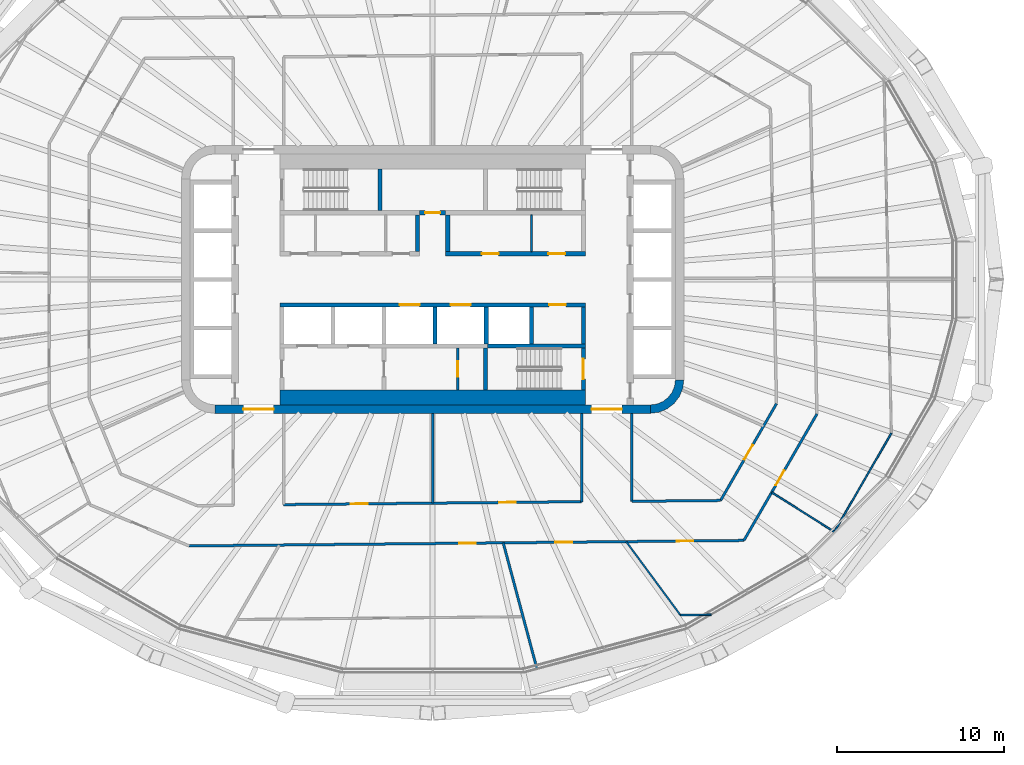
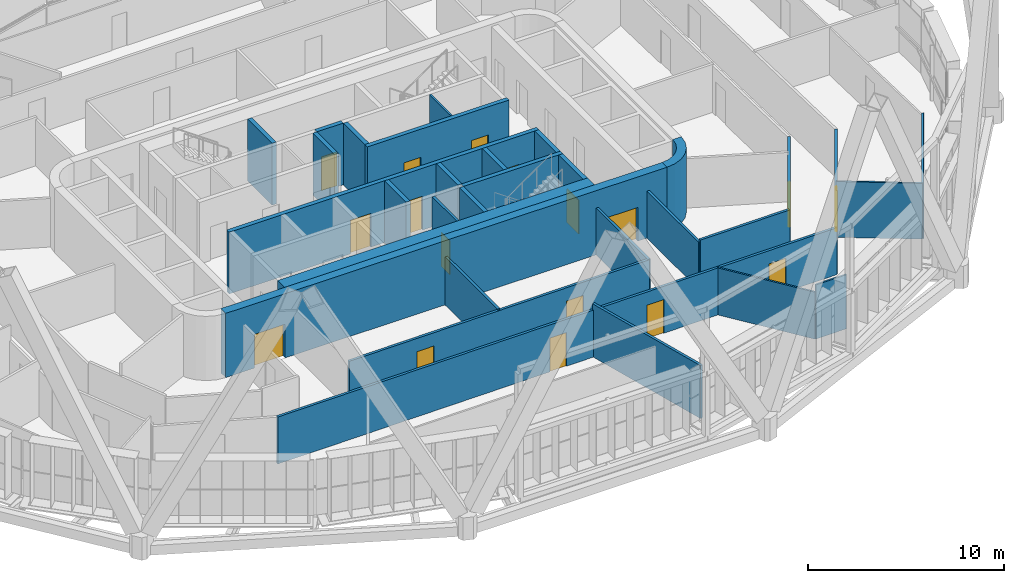
# One storey, part 15 of 25: 31 walls, 17 doors, 17 openings.
"""IFC4 building model written with IfcOpenShell, lengths in metres."""

from ifc_helpers import new_model, si_unit, direction, frame, frame_2d, origin, place, context, subcontext, project, spatial, polyline, rectangle, outline, extrude, material, layer, layer_set, type_object, element, fill, save


model = new_model("IFC4")

# Units and contexts
model_context = context("Model", 3, precision=1e-05, world=origin(), true_north=direction((0.0, 1.0)))
body_context = subcontext(model_context, "Body", "Model", "MODEL_VIEW")
ifc_project = project(units=[si_unit("LENGTHUNIT", "METRE"), si_unit("AREAUNIT", "SQUARE_METRE"), si_unit("VOLUMEUNIT", "CUBIC_METRE"), si_unit("PLANEANGLEUNIT", "RADIAN"), si_unit("MASSUNIT", "GRAM", prefix="KILO")], contexts=[model_context])

# Site, building, storey
site_placement = place(None, origin())
site = spatial("IfcSite", under=ifc_project, at=site_placement, CompositionType="ELEMENT")
building_placement = place(site_placement, origin())
building = spatial("IfcBuilding", under=site, at=building_placement, Name="Sahrelin Media Tower", CompositionType="ELEMENT")
storey_placement = place(building_placement, frame((0.0, 0.0, 165.60009765625)))
storey = spatial("IfcBuildingStorey", under=building, at=storey_placement, Name="L34", CompositionType="ELEMENT", Elevation=165.60009765625)

# Wall, openings, doors
ifc_material_1 = material(Name="Concrete C60/75", Category="concrete")
ifc_layer_1 = layer(ifc_material_1, 0.5)
ifc_layer_set_1 = layer_set([ifc_layer_1], Name="Core wall 500")
wall_type_1 = type_object("IfcWallType", Name="Core wall 500", PredefinedType="SHEAR", material=ifc_layer_set_1)
wall_1_placement = place(storey_placement, frame((-13.0, -7.75, 0.0), z_axis=(0.0, 0.0, 1.0), x_axis=(1.0, 0.0, 0.0)))
wall_1 = element("IfcWall", 1, at=wall_1_placement, inside=storey, type_object=wall_type_1, Name="Core wall S L34", PredefinedType="SHEAR", context=body_context, shape_type="SweptSolid", body=[
    extrude(rectangle(XDim=26.0, YDim=0.5, at=frame_2d((13.0, 0.0))), origin(), (0.0, 0.0, 1.0), 4.0),
])
opening_1_placement = place(wall_1_placement, frame((1.699951171875, 0.0, 0.0)))
opening_1 = element("IfcOpeningElement", 2, at=opening_1_placement, cuts=wall_1, Name="Opening L34-D20", PredefinedType="OPENING", context=body_context, shape_type="SweptSolid", body=[
    extrude(rectangle(XDim=1.800048828125, YDim=2.10009765625, at=frame_2d((0.89990234375, 1.050048828125))), frame((0.0, 0.25, 0.0), z_axis=(0.0, -1.0, 0.0), x_axis=(1.0, 0.0, 0.0)), (0.0, 0.0, 1.0), 0.5),
])
opening_2_placement = place(wall_1_placement, frame((22.5, 0.0, 0.0)))
opening_2 = element("IfcOpeningElement", 3, at=opening_2_placement, cuts=wall_1, Name="Opening L34-D21", PredefinedType="OPENING", context=body_context, shape_type="SweptSolid", body=[
    extrude(rectangle(XDim=1.800048828125, YDim=2.10009765625, at=frame_2d((0.89990234375, 1.050048828125))), frame((0.0, 0.25, 0.0), z_axis=(0.0, -1.0, 0.0), x_axis=(1.0, 0.0, 0.0)), (0.0, 0.0, 1.0), 0.5),
])
ifc_material_2 = material(Name="Steel fire door leaf", Category="steel")
door_type_1 = type_object("IfcDoorType", Name="Lobby double door 1800 x 2100 EI 60", OperationType="DOUBLE_DOOR_SINGLE_SWING", PredefinedType="DOOR", material=ifc_material_2)
door_1_placement = place(opening_1_placement, origin())
door_1 = element("IfcDoor", 4, at=door_1_placement, inside=storey, type_object=door_type_1, Name="Lobby door", OperationType="DOUBLE_DOOR_SINGLE_SWING", OverallHeight=2.10009765625, OverallWidth=1.800048828125, PredefinedType="DOOR", context=body_context, shape_type="SweptSolid", body=[
    extrude(rectangle(XDim=1.800048828125, YDim=2.10009765625, at=frame_2d((0.89990234375, 1.050048828125))), frame((0.0, 0.02490234375, 0.0), z_axis=(0.0, -1.0, 0.0), x_axis=(1.0, 0.0, 0.0)), (0.0, 0.0, 1.0), 0.050048828125),
])
fill(opening_1, door_1)
door_2_placement = place(opening_2_placement, origin())
door_2 = element("IfcDoor", 5, at=door_2_placement, inside=storey, type_object=door_type_1, Name="Lobby door", OperationType="DOUBLE_DOOR_SINGLE_SWING", OverallHeight=2.10009765625, OverallWidth=1.800048828125, PredefinedType="DOOR", context=body_context, shape_type="SweptSolid", body=[
    extrude(rectangle(XDim=1.800048828125, YDim=2.10009765625, at=frame_2d((0.89990234375, 1.050048828125))), frame((0.0, 0.02490234375, 0.0), z_axis=(0.0, -1.0, 0.0), x_axis=(1.0, 0.0, 0.0)), (0.0, 0.0, 1.0), 0.050048828125),
])
fill(opening_2, door_2)

# Wall
wall_2_placement = place(storey_placement, origin())
element("IfcWall", 6, at=wall_2_placement, inside=storey, type_object=wall_type_1, Name="Core wall corner SE L34", PredefinedType="SHEAR", context=body_context, shape_type="SweptSolid", body=[
    extrude(outline(polyline([(15.0, -6.0), (14.49560546875, -6.0), (14.44482421875, -6.38720703125), (14.29541015625, -6.747802734375), (14.0576171875, -7.0576171875), (13.747802734375, -7.29541015625), (13.38720703125, -7.44482421875), (13.0, -7.49560546875), (13.0, -8.0), (13.517578125, -7.931884765625), (14.0, -7.732177734375), (14.414306640625, -7.414306640625), (14.732177734375, -7.0), (14.931884765625, -6.517578125), (15.0, -6.0)])), origin(), (0.0, 0.0, 1.0), 4.0),
])

# Wall, opening, door
ifc_material_3 = material(Name="Fire-rated gypsum board partition")
ifc_layer_2 = layer(ifc_material_3, 0.25)
ifc_layer_set_2 = layer_set([ifc_layer_2], Name="Fire-rated lobby wall 250")
wall_type_2 = type_object("IfcWallType", Name="Fire-rated lobby wall 250", PredefinedType="PARTITIONING", material=ifc_layer_set_2)
wall_3_placement = place(storey_placement, frame((-0.77490234375, 3.97509765625, 0.0), z_axis=(0.0, 0.0, 1.0), x_axis=(1.0, 0.0, 0.0)))
wall_3 = element("IfcWall", 7, at=wall_3_placement, inside=storey, type_object=wall_type_2, Name="Core lobby wall", PredefinedType="PARTITIONING", context=body_context, shape_type="SweptSolid", body=[
    extrude(rectangle(XDim=1.5498046875, YDim=0.25, at=frame_2d((0.77490234375, 0.0))), origin(), (0.0, 0.0, 1.0), 3.849853515625),
])
opening_3_placement = place(wall_3_placement, frame((0.324951171875, 0.0, 0.0)))
opening_3 = element("IfcOpeningElement", 8, at=opening_3_placement, cuts=wall_3, Name="Opening L34-D06", PredefinedType="OPENING", context=body_context, shape_type="SweptSolid", body=[
    extrude(rectangle(XDim=0.89990234375, YDim=2.10009765625, at=frame_2d((0.449951171875, 1.050048828125))), frame((0.0, 0.125, 0.0), z_axis=(0.0, -1.0, 0.0), x_axis=(1.0, 0.0, 0.0)), (0.0, 0.0, 1.0), 0.25),
])
door_type_2 = type_object("IfcDoorType", Name="Riser door 900 x 2100 EI 120", OperationType="NOTDEFINED", PredefinedType="DOOR", material=ifc_material_2)
door_3_placement = place(opening_3_placement, origin())
door_3 = element("IfcDoor", 9, at=door_3_placement, inside=storey, type_object=door_type_2, Name="Core room door", OperationType="SINGLE_SWING_LEFT", OverallHeight=2.10009765625, OverallWidth=0.89990234375, PredefinedType="DOOR", context=body_context, shape_type="SweptSolid", body=[
    extrude(rectangle(XDim=0.89990234375, YDim=2.10009765625, at=frame_2d((0.449951171875, 1.050048828125))), frame((0.0, 0.02490234375, 0.0), z_axis=(0.0, -1.0, 0.0), x_axis=(1.0, 0.0, 0.0)), (0.0, 0.0, 1.0), 0.050048828125),
])
fill(opening_3, door_3)

# Wall, openings, doors
wall_4_placement = place(storey_placement, frame((0.77490234375, 1.52490234375, 0.0), z_axis=(0.0, 0.0, 1.0), x_axis=(1.0, 0.0, 0.0)))
wall_4 = element("IfcWall", 10, at=wall_4_placement, inside=storey, type_object=wall_type_2, Name="Core lobby wall", PredefinedType="PARTITIONING", context=body_context, shape_type="SweptSolid", body=[
    extrude(rectangle(XDim=8.35009765625, YDim=0.25, at=frame_2d((4.175048828125, 0.0))), origin(), (0.0, 0.0, 1.0), 3.849853515625),
])
opening_4_placement = place(wall_4_placement, frame((2.16259765625, 0.0, 0.0)))
opening_4 = element("IfcOpeningElement", 11, at=opening_4_placement, cuts=wall_4, Name="Opening L34-D11", PredefinedType="OPENING", context=body_context, shape_type="SweptSolid", body=[
    extrude(rectangle(XDim=1.0, YDim=2.10009765625, at=frame_2d((0.5, 1.050048828125))), frame((0.0, 0.125, 0.0), z_axis=(0.0, -1.0, 0.0), x_axis=(1.0, 0.0, 0.0)), (0.0, 0.0, 1.0), 0.25),
])
opening_5_placement = place(wall_4_placement, frame((6.137451171875, 0.0, 0.0)))
opening_5 = element("IfcOpeningElement", 12, at=opening_5_placement, cuts=wall_4, Name="Opening L34-D12", PredefinedType="OPENING", context=body_context, shape_type="SweptSolid", body=[
    extrude(rectangle(XDim=1.0, YDim=2.10009765625, at=frame_2d((0.5, 1.050048828125))), frame((0.0, 0.125, 0.0), z_axis=(0.0, -1.0, 0.0), x_axis=(1.0, 0.0, 0.0)), (0.0, 0.0, 1.0), 0.25),
])
door_type_3 = type_object("IfcDoorType", Name="Fire door 1000 x 2100 EI 60", OperationType="NOTDEFINED", PredefinedType="DOOR", material=ifc_material_2)
door_4_placement = place(opening_4_placement, origin())
door_4 = element("IfcDoor", 13, at=door_4_placement, inside=storey, type_object=door_type_3, Name="Core room door", OperationType="SINGLE_SWING_LEFT", OverallHeight=2.10009765625, OverallWidth=1.0, PredefinedType="DOOR", context=body_context, shape_type="SweptSolid", body=[
    extrude(rectangle(XDim=1.0, YDim=2.10009765625, at=frame_2d((0.5, 1.050048828125))), frame((0.0, 0.02490234375, 0.0), z_axis=(0.0, -1.0, 0.0), x_axis=(1.0, 0.0, 0.0)), (0.0, 0.0, 1.0), 0.050048828125),
])
fill(opening_4, door_4)
door_5_placement = place(opening_5_placement, origin())
door_5 = element("IfcDoor", 14, at=door_5_placement, inside=storey, type_object=door_type_3, Name="Core room door", OperationType="SINGLE_SWING_LEFT", OverallHeight=2.10009765625, OverallWidth=1.0, PredefinedType="DOOR", context=body_context, shape_type="SweptSolid", body=[
    extrude(rectangle(XDim=1.0, YDim=2.10009765625, at=frame_2d((0.5, 1.050048828125))), frame((0.0, 0.02490234375, 0.0), z_axis=(0.0, -1.0, 0.0), x_axis=(1.0, 0.0, 0.0)), (0.0, 0.0, 1.0), 0.050048828125),
])
fill(opening_5, door_5)

# Walls
for number, where, z_axis, x_axis, name in (
    (15, (-0.89990234375, 1.64990234375, 0.0), (0.0, 0.0, 1.0), (0.0, 1.0, 0.0), "Core lobby wall"),
    (16, (0.89990234375, 1.64990234375, 0.0), (0.0, 0.0, 1.0), (0.0, 1.0, 0.0), "Core lobby wall"),
):
    element("IfcWall", number, at=place(storey_placement, frame(where, z_axis=z_axis, x_axis=x_axis)), inside=storey, type_object=wall_type_2, Name=name, PredefinedType="PARTITIONING", context=body_context, shape_type="SweptSolid", body=[
        extrude(rectangle(XDim=2.2001953125, YDim=0.25, at=frame_2d((1.10009765625, 0.0))), origin(), (0.0, 0.0, 1.0), 3.849853515625),
    ])
ifc_layer_3 = layer(ifc_material_3, 0.10009765625)
ifc_layer_set_3 = layer_set([ifc_layer_3], Name="Fire-rated partition 100")
wall_type_3 = type_object("IfcWallType", Name="Fire-rated partition 100", PredefinedType="PARTITIONING", material=ifc_layer_set_3)
wall_5_placement = place(storey_placement, frame((5.89990234375, 1.64990234375, 0.0), z_axis=(0.0, 0.0, 1.0), x_axis=(0.0, 1.0, 0.0)))
element("IfcWall", 17, at=wall_5_placement, inside=storey, type_object=wall_type_3, Name="Core room partition", PredefinedType="PARTITIONING", context=body_context, shape_type="SweptSolid", body=[
    extrude(rectangle(XDim=2.2001953125, YDim=0.10009765625, at=frame_2d((1.10009765625, 0.0))), origin(), (0.0, 0.0, 1.0), 3.849853515625),
])

# Wall, opening, door
ifc_layer_4 = layer(ifc_material_3, 0.14990234375)
ifc_layer_set_4 = layer_set([ifc_layer_4], Name="Fire-rated partition 150")
wall_type_4 = type_object("IfcWallType", Name="Fire-rated partition 150", PredefinedType="PARTITIONING", material=ifc_layer_set_4)
wall_6_placement = place(storey_placement, frame((1.5, -6.60009765625, 0.0), z_axis=(0.0, 0.0, 1.0), x_axis=(0.0, 1.0, 0.0)))
wall_6 = element("IfcWall", 18, at=wall_6_placement, inside=storey, type_object=wall_type_4, Name="Core room fire partition", PredefinedType="PARTITIONING", context=body_context, shape_type="SweptSolid", body=[
    extrude(rectangle(XDim=2.5, YDim=0.14990234375, at=frame_2d((1.25, 0.0))), origin(), (0.0, 0.0, 1.0), 3.849853515625),
])
opening_6_placement = place(wall_6_placement, frame((0.800048828125, 0.0, 0.0)))
opening_6 = element("IfcOpeningElement", 19, at=opening_6_placement, cuts=wall_6, Name="Opening L34-D07", PredefinedType="OPENING", context=body_context, shape_type="SweptSolid", body=[
    extrude(rectangle(XDim=0.89990234375, YDim=2.10009765625, at=frame_2d((0.449951171875, 1.050048828125))), frame((0.0, 0.074951171875, 0.0), z_axis=(0.0, -1.0, 0.0), x_axis=(1.0, 0.0, 0.0)), (0.0, 0.0, 1.0), 0.14990234375),
])
door_type_4 = type_object("IfcDoorType", Name="Fire door 900 x 2100 EI 60", OperationType="NOTDEFINED", PredefinedType="DOOR", material=ifc_material_2)
door_6_placement = place(opening_6_placement, origin())
door_6 = element("IfcDoor", 20, at=door_6_placement, inside=storey, type_object=door_type_4, Name="Core room door", OperationType="SINGLE_SWING_RIGHT", OverallHeight=2.10009765625, OverallWidth=0.89990234375, PredefinedType="DOOR", context=body_context, shape_type="SweptSolid", body=[
    extrude(rectangle(XDim=0.89990234375, YDim=2.10009765625, at=frame_2d((0.449951171875, 1.050048828125))), frame((0.0, 0.02490234375, 0.0), z_axis=(0.0, -1.0, 0.0), x_axis=(1.0, 0.0, 0.0)), (0.0, 0.0, 1.0), 0.050048828125),
])
fill(opening_6, door_6)

# Wall
wall_7_placement = place(storey_placement, frame((4.215087890625, -15.72998046875, 0.0), z_axis=(0.0, 0.0, 1.0), x_axis=(0.258804423338, -0.96592974406, 0.0)))
element("IfcWall", 21, at=wall_7_placement, inside=storey, type_object=wall_type_4, Name="Wall", PredefinedType="PARTITIONING", context=body_context, shape_type="SweptSolid", body=[
    extrude(rectangle(XDim=7.797607421875, YDim=0.14990234375, at=frame_2d((3.89892578125, 0.0))), origin(), (0.0, 0.0, 1.0), 3.301513671875),
])

# Wall, openings, doors
wall_8_placement = place(storey_placement, frame((-14.533935546875, -15.916015625, 0.0), z_axis=(0.0, 0.0, 1.0), x_axis=(0.999950930262, 0.009906415532, 0.0)))
wall_8 = element("IfcWall", 22, at=wall_8_placement, inside=storey, type_object=wall_type_4, Name="Wall", PredefinedType="PARTITIONING", context=body_context, shape_type="SweptSolid", body=[
    extrude(rectangle(XDim=33.12255859375, YDim=0.14990234375, at=frame_2d((16.561279296875, 0.0))), origin(), (0.0, 0.0, 1.0), 2.927001953125),
])
opening_7_placement = place(wall_8_placement, frame((16.11083984375, 0.0, 0.0)))
opening_7 = element("IfcOpeningElement", 23, at=opening_7_placement, cuts=wall_8, Name="Opening L34-D42", PredefinedType="OPENING", context=body_context, shape_type="SweptSolid", body=[
    extrude(rectangle(XDim=1.0, YDim=2.10009765625, at=frame_2d((0.5, 1.050048828125))), frame((0.0, 0.074951171875, 0.0), z_axis=(0.0, -1.0, 0.0), x_axis=(1.0, 0.0, 0.0)), (0.0, 0.0, 1.0), 0.14990234375),
])
opening_8_placement = place(wall_8_placement, frame((21.868896484375, 0.0, 0.0)))
opening_8 = element("IfcOpeningElement", 24, at=opening_8_placement, cuts=wall_8, Name="Opening L34-D44", PredefinedType="OPENING", context=body_context, shape_type="SweptSolid", body=[
    extrude(rectangle(XDim=1.0, YDim=2.10009765625, at=frame_2d((0.5, 1.050048828125))), frame((0.0, 0.074951171875, 0.0), z_axis=(0.0, -1.0, 0.0), x_axis=(1.0, 0.0, 0.0)), (0.0, 0.0, 1.0), 0.14990234375),
])
opening_9_placement = place(wall_8_placement, frame((29.105712890625, 0.0, 0.0)))
opening_9 = element("IfcOpeningElement", 25, at=opening_9_placement, cuts=wall_8, Name="Opening L34-D45", PredefinedType="OPENING", context=body_context, shape_type="SweptSolid", body=[
    extrude(rectangle(XDim=1.0, YDim=2.10009765625, at=frame_2d((0.5, 1.050048828125))), frame((0.0, 0.074951171875, 0.0), z_axis=(0.0, -1.0, 0.0), x_axis=(1.0, 0.0, 0.0)), (0.0, 0.0, 1.0), 0.14990234375),
])
door_7_placement = place(opening_7_placement, origin())
door_7 = element("IfcDoor", 26, at=door_7_placement, inside=storey, type_object=door_type_3, Name="Fire door", OperationType="SINGLE_SWING_RIGHT", OverallHeight=2.10009765625, OverallWidth=1.0, PredefinedType="DOOR", context=body_context, shape_type="SweptSolid", body=[
    extrude(rectangle(XDim=1.0, YDim=2.10009765625, at=frame_2d((0.5, 1.050048828125))), frame((0.0, 0.02490234375, 0.0), z_axis=(0.0, -1.0, 0.0), x_axis=(1.0, 0.0, 0.0)), (0.0, 0.0, 1.0), 0.050048828125),
])
fill(opening_7, door_7)
door_8_placement = place(opening_8_placement, origin())
door_8 = element("IfcDoor", 27, at=door_8_placement, inside=storey, type_object=door_type_3, Name="Fire door", OperationType="SINGLE_SWING_LEFT", OverallHeight=2.10009765625, OverallWidth=1.0, PredefinedType="DOOR", context=body_context, shape_type="SweptSolid", body=[
    extrude(rectangle(XDim=1.0, YDim=2.10009765625, at=frame_2d((0.5, 1.050048828125))), frame((0.0, 0.02490234375, 0.0), z_axis=(0.0, -1.0, 0.0), x_axis=(1.0, 0.0, 0.0)), (0.0, 0.0, 1.0), 0.050048828125),
])
fill(opening_8, door_8)
door_9_placement = place(opening_9_placement, origin())
door_9 = element("IfcDoor", 28, at=door_9_placement, inside=storey, type_object=door_type_3, Name="Fire door", OperationType="SINGLE_SWING_LEFT", OverallHeight=2.10009765625, OverallWidth=1.0, PredefinedType="DOOR", context=body_context, shape_type="SweptSolid", body=[
    extrude(rectangle(XDim=1.0, YDim=2.10009765625, at=frame_2d((0.5, 1.050048828125))), frame((0.0, 0.02490234375, 0.0), z_axis=(0.0, -1.0, 0.0), x_axis=(1.0, 0.0, 0.0)), (0.0, 0.0, 1.0), 0.050048828125),
])
fill(opening_9, door_9)

wall_9_placement = place(storey_placement, frame((-8.89990234375, -13.44873046875, 0.0), z_axis=(0.0, 0.0, 1.0), x_axis=(0.999951105691, 0.009888691875, 0.0)))
wall_9 = element("IfcWall", 29, at=wall_9_placement, inside=storey, type_object=wall_type_4, Name="Wall", PredefinedType="PARTITIONING", context=body_context, shape_type="SweptSolid", body=[
    extrude(rectangle(XDim=17.80078125, YDim=0.14990234375, at=frame_2d((8.900390625, 0.0))), origin(), (0.0, 0.0, 1.0), 2.927001953125),
])
opening_10_placement = place(wall_9_placement, frame((4.018798828125, 0.0, 0.0)))
opening_10 = element("IfcOpeningElement", 30, at=opening_10_placement, cuts=wall_9, Name="Opening L34-D22", PredefinedType="OPENING", context=body_context, shape_type="SweptSolid", body=[
    extrude(rectangle(XDim=1.0, YDim=2.10009765625, at=frame_2d((0.5, 1.050048828125))), frame((0.0, 0.074951171875, 0.0), z_axis=(0.0, -1.0, 0.0), x_axis=(1.0, 0.0, 0.0)), (0.0, 0.0, 1.0), 0.14990234375),
])
opening_11_placement = place(wall_9_placement, frame((12.873046875, 0.0, 0.0)))
opening_11 = element("IfcOpeningElement", 31, at=opening_11_placement, cuts=wall_9, Name="Opening L34-D23", PredefinedType="OPENING", context=body_context, shape_type="SweptSolid", body=[
    extrude(rectangle(XDim=1.0, YDim=2.10009765625, at=frame_2d((0.5, 1.050048828125))), frame((0.0, 0.074951171875, 0.0), z_axis=(0.0, -1.0, 0.0), x_axis=(1.0, 0.0, 0.0)), (0.0, 0.0, 1.0), 0.14990234375),
])
door_10_placement = place(opening_10_placement, origin())
door_10 = element("IfcDoor", 32, at=door_10_placement, inside=storey, type_object=door_type_3, Name="Fire door", OperationType="SINGLE_SWING_RIGHT", OverallHeight=2.10009765625, OverallWidth=1.0, PredefinedType="DOOR", context=body_context, shape_type="SweptSolid", body=[
    extrude(rectangle(XDim=1.0, YDim=2.10009765625, at=frame_2d((0.5, 1.050048828125))), frame((0.0, 0.02490234375, 0.0), z_axis=(0.0, -1.0, 0.0), x_axis=(1.0, 0.0, 0.0)), (0.0, 0.0, 1.0), 0.050048828125),
])
fill(opening_10, door_10)
door_11_placement = place(opening_11_placement, origin())
door_11 = element("IfcDoor", 33, at=door_11_placement, inside=storey, type_object=door_type_3, Name="Fire door", OperationType="SINGLE_SWING_LEFT", OverallHeight=2.10009765625, OverallWidth=1.0, PredefinedType="DOOR", context=body_context, shape_type="SweptSolid", body=[
    extrude(rectangle(XDim=1.0, YDim=2.10009765625, at=frame_2d((0.5, 1.050048828125))), frame((0.0, 0.02490234375, 0.0), z_axis=(0.0, -1.0, 0.0), x_axis=(1.0, 0.0, 0.0)), (0.0, 0.0, 1.0), 0.050048828125),
])
fill(opening_11, door_11)

# Wall
wall_10_placement = place(storey_placement, frame((11.89990234375, -13.2529296875, 0.0), z_axis=(0.0, 0.0, 1.0), x_axis=(0.999951309192, 0.009868092237, 0.0)))
element("IfcWall", 34, at=wall_10_placement, inside=storey, type_object=wall_type_4, Name="Wall", PredefinedType="PARTITIONING", context=body_context, shape_type="SweptSolid", body=[
    extrude(rectangle(XDim=5.29443359375, YDim=0.14990234375, at=frame_2d((2.647216796875, 0.0))), origin(), (0.0, 0.0, 1.0), 3.075927734375),
])

# Wall, opening, door
wall_11_placement = place(storey_placement, frame((18.5869140625, -15.5869140625, 0.0), z_axis=(0.0, 0.0, 1.0), x_axis=(0.500026433136, 0.866010142069, 0.0)))
wall_11 = element("IfcWall", 35, at=wall_11_placement, inside=storey, type_object=wall_type_4, Name="Wall", PredefinedType="PARTITIONING", context=body_context, shape_type="SweptSolid", body=[
    extrude(rectangle(XDim=8.71337890625, YDim=0.14990234375, at=frame_2d((4.356689453125, 0.0))), origin(), (0.0, 0.0, 1.0), 2.927001953125),
])
opening_12_placement = place(wall_11_placement, frame((3.806884765625, 0.0, 0.0)))
opening_12 = element("IfcOpeningElement", 36, at=opening_12_placement, cuts=wall_11, Name="Opening L34-D46", PredefinedType="OPENING", context=body_context, shape_type="SweptSolid", body=[
    extrude(rectangle(XDim=1.0, YDim=2.10009765625, at=frame_2d((0.5, 1.050048828125))), frame((0.0, 0.074951171875, 0.0), z_axis=(0.0, -1.0, 0.0), x_axis=(1.0, 0.0, 0.0)), (0.0, 0.0, 1.0), 0.14990234375),
])
door_12_placement = place(opening_12_placement, origin())
door_12 = element("IfcDoor", 37, at=door_12_placement, inside=storey, type_object=door_type_3, Name="Fire door", OperationType="SINGLE_SWING_LEFT", OverallHeight=2.10009765625, OverallWidth=1.0, PredefinedType="DOOR", context=body_context, shape_type="SweptSolid", body=[
    extrude(rectangle(XDim=1.0, YDim=2.10009765625, at=frame_2d((0.5, 1.050048828125))), frame((0.0, 0.02490234375, 0.0), z_axis=(0.0, -1.0, 0.0), x_axis=(1.0, 0.0, 0.0)), (0.0, 0.0, 1.0), 0.050048828125),
])
fill(opening_12, door_12)

wall_12_placement = place(storey_placement, frame((17.194091796875, -13.200927734375, 0.0), z_axis=(0.0, 0.0, 1.0), x_axis=(0.50001062018, 0.866019272134, 0.0)))
wall_12 = element("IfcWall", 38, at=wall_12_placement, inside=storey, type_object=wall_type_4, Name="Wall", PredefinedType="PARTITIONING", context=body_context, shape_type="SweptSolid", body=[
    extrude(rectangle(XDim=6.673583984375, YDim=0.14990234375, at=frame_2d((3.3369140625, 0.0))), origin(), (0.0, 0.0, 1.0), 2.927001953125),
])
opening_13_placement = place(wall_12_placement, frame((2.83349609375, 0.0, 0.0)))
opening_13 = element("IfcOpeningElement", 39, at=opening_13_placement, cuts=wall_12, Name="Opening L34-D24", PredefinedType="OPENING", context=body_context, shape_type="SweptSolid", body=[
    extrude(rectangle(XDim=1.0, YDim=2.10009765625, at=frame_2d((0.5, 1.050048828125))), frame((0.0, 0.074951171875, 0.0), z_axis=(0.0, -1.0, 0.0), x_axis=(1.0, 0.0, 0.0)), (0.0, 0.0, 1.0), 0.14990234375),
])
door_13_placement = place(opening_13_placement, origin())
door_13 = element("IfcDoor", 40, at=door_13_placement, inside=storey, type_object=door_type_3, Name="Fire door", OperationType="SINGLE_SWING_RIGHT", OverallHeight=2.10009765625, OverallWidth=1.0, PredefinedType="DOOR", context=body_context, shape_type="SweptSolid", body=[
    extrude(rectangle(XDim=1.0, YDim=2.10009765625, at=frame_2d((0.5, 1.050048828125))), frame((0.0, 0.02490234375, 0.0), z_axis=(0.0, -1.0, 0.0), x_axis=(1.0, 0.0, 0.0)), (0.0, 0.0, 1.0), 0.050048828125),
])
fill(opening_13, door_13)

# Walls
wall_13_placement = place(storey_placement, frame((11.89990234375, -13.2529296875, 0.0), z_axis=(0.0, 0.0, 1.0), x_axis=(0.0, 1.0, 0.0)))
element("IfcWall", 41, at=wall_13_placement, inside=storey, type_object=wall_type_4, Name="Wall", PredefinedType="PARTITIONING", context=body_context, shape_type="SweptSolid", body=[
    extrude(rectangle(XDim=5.2529296875, YDim=0.14990234375, at=frame_2d((2.62646484375, 0.0))), origin(), (0.0, 0.0, 1.0), 2.927001953125),
])
wall_14_placement = place(storey_placement, frame((8.89990234375, -13.282958984375, 0.0), z_axis=(0.0, 0.0, 1.0), x_axis=(0.0, 1.0, 0.0)))
element("IfcWall", 42, at=wall_14_placement, inside=storey, type_object=wall_type_4, Name="Wall", PredefinedType="PARTITIONING", context=body_context, shape_type="SweptSolid", body=[
    extrude(rectangle(XDim=5.282958984375, YDim=0.14990234375, at=frame_2d((2.6416015625, 0.0))), origin(), (0.0, 0.0, 1.0), 2.927001953125),
])
wall_15_placement = place(storey_placement, frame((0.0, -13.361083984375, 0.0), z_axis=(0.0, 0.0, 1.0), x_axis=(0.0, 1.0, 0.0)))
element("IfcWall", 43, at=wall_15_placement, inside=storey, type_object=wall_type_4, Name="Wall", PredefinedType="PARTITIONING", context=body_context, shape_type="SweptSolid", body=[
    extrude(rectangle(XDim=5.361083984375, YDim=0.14990234375, at=frame_2d((2.6806640625, 0.0))), origin(), (0.0, 0.0, 1.0), 2.994873046875),
])

# Wall, openings, doors
ifc_layer_5 = layer(ifc_material_1, 0.25)
ifc_layer_set_5 = layer_set([ifc_layer_5], Name="Lift shaft wall 250")
wall_type_5 = type_object("IfcWallType", Name="Lift shaft wall 250", PredefinedType="SOLIDWALL", material=ifc_layer_set_5)
wall_16_placement = place(storey_placement, frame((-9.125, -1.52490234375, 0.0), z_axis=(0.0, 0.0, 1.0), x_axis=(1.0, 0.0, 0.0)))
wall_16 = element("IfcWall", 44, at=wall_16_placement, inside=storey, type_object=wall_type_5, Name="Lift shaft wall", PredefinedType="SOLIDWALL", context=body_context, shape_type="SweptSolid", body=[
    extrude(rectangle(XDim=18.25, YDim=0.25, at=frame_2d((9.125, 0.0))), origin(), (0.0, 0.0, 1.0), 3.849853515625),
])
opening_14_placement = place(wall_16_placement, frame((7.14990234375, 0.0, 0.0)))
opening_14 = element("IfcOpeningElement", 45, at=opening_14_placement, cuts=wall_16, Name="Opening L34-LD-SV1", PredefinedType="OPENING", context=body_context, shape_type="SweptSolid", body=[
    extrude(rectangle(XDim=1.199951171875, YDim=2.10009765625, at=frame_2d((0.60009765625, 1.050048828125))), frame((0.0, 0.125, 0.0), z_axis=(0.0, -1.0, 0.0), x_axis=(1.0, 0.0, 0.0)), (0.0, 0.0, 1.0), 0.25),
])
opening_15_placement = place(wall_16_placement, frame((10.199951171875, 0.0, 0.0)))
opening_15 = element("IfcOpeningElement", 46, at=opening_15_placement, cuts=wall_16, Name="Opening L34-LD-SV2", PredefinedType="OPENING", context=body_context, shape_type="SweptSolid", body=[
    extrude(rectangle(XDim=1.199951171875, YDim=2.10009765625, at=frame_2d((0.60009765625, 1.050048828125))), frame((0.0, 0.125, 0.0), z_axis=(0.0, -1.0, 0.0), x_axis=(1.0, 0.0, 0.0)), (0.0, 0.0, 1.0), 0.25),
])
opening_16_placement = place(wall_16_placement, frame((16.074951171875, 0.0, 0.0)))
opening_16 = element("IfcOpeningElement", 47, at=opening_16_placement, cuts=wall_16, Name="Opening L34-D13", PredefinedType="OPENING", context=body_context, shape_type="SweptSolid", body=[
    extrude(rectangle(XDim=1.0, YDim=2.10009765625, at=frame_2d((0.5, 1.050048828125))), frame((0.0, 0.125, 0.0), z_axis=(0.0, -1.0, 0.0), x_axis=(1.0, 0.0, 0.0)), (0.0, 0.0, 1.0), 0.25),
])
door_14_placement = place(opening_16_placement, origin())
door_14 = element("IfcDoor", 48, at=door_14_placement, inside=storey, type_object=door_type_3, Name="Core room door", OperationType="SINGLE_SWING_RIGHT", OverallHeight=2.10009765625, OverallWidth=1.0, PredefinedType="DOOR", context=body_context, shape_type="SweptSolid", body=[
    extrude(rectangle(XDim=1.0, YDim=2.10009765625, at=frame_2d((0.5, 1.050048828125))), frame((0.0, 0.02490234375, 0.0), z_axis=(0.0, -1.0, 0.0), x_axis=(1.0, 0.0, 0.0)), (0.0, 0.0, 1.0), 0.050048828125),
])
fill(opening_16, door_14)
ifc_material_4 = material(Name="Stainless steel", Category="steel")
door_type_5 = type_object("IfcDoorType", Name="Lift landing door 1200 x 2100 EI 120", OperationType="DOUBLE_DOOR_SLIDING", PredefinedType="DOOR", material=ifc_material_4)
door_15_placement = place(opening_14_placement, origin())
door_15 = element("IfcDoor", 49, at=door_15_placement, inside=storey, type_object=door_type_5, Name="Lift landing door SV1", OperationType="DOUBLE_DOOR_SLIDING", OverallHeight=2.10009765625, OverallWidth=1.199951171875, PredefinedType="DOOR", context=body_context, shape_type="SweptSolid", body=[
    extrude(rectangle(XDim=1.199951171875, YDim=2.10009765625, at=frame_2d((0.60009765625, 1.050048828125))), frame((0.0, 0.02490234375, 0.0), z_axis=(0.0, -1.0, 0.0), x_axis=(1.0, 0.0, 0.0)), (0.0, 0.0, 1.0), 0.050048828125),
])
fill(opening_14, door_15)
door_16_placement = place(opening_15_placement, origin())
door_16 = element("IfcDoor", 50, at=door_16_placement, inside=storey, type_object=door_type_5, Name="Lift landing door SV2", OperationType="DOUBLE_DOOR_SLIDING", OverallHeight=2.10009765625, OverallWidth=1.199951171875, PredefinedType="DOOR", context=body_context, shape_type="SweptSolid", body=[
    extrude(rectangle(XDim=1.199951171875, YDim=2.10009765625, at=frame_2d((0.60009765625, 1.050048828125))), frame((0.0, 0.02490234375, 0.0), z_axis=(0.0, -1.0, 0.0), x_axis=(1.0, 0.0, 0.0)), (0.0, 0.0, 1.0), 0.050048828125),
])
fill(opening_15, door_16)

# Walls
wall_17_placement = place(storey_placement, frame((3.27490234375, -3.97509765625, 0.0), z_axis=(0.0, 0.0, 1.0), x_axis=(1.0, 0.0, 0.0)))
element("IfcWall", 51, at=wall_17_placement, inside=storey, type_object=wall_type_5, Name="Lift shaft wall", PredefinedType="SOLIDWALL", context=body_context, shape_type="SweptSolid", body=[
    extrude(rectangle(XDim=5.85009765625, YDim=0.25, at=frame_2d((2.925048828125, 0.0))), origin(), (0.0, 0.0, 1.0), 3.849853515625),
])
for number, where, z_axis, x_axis, name in (
    (52, (0.14990234375, -3.85009765625, 0.0), (0.0, 0.0, 1.0), (0.0, 1.0, 0.0), "Lift shaft wall"),
    (53, (3.199951171875, -3.85009765625, 0.0), (0.0, 0.0, 1.0), (0.0, 1.0, 0.0), "Lift shaft wall"),
    (54, (5.89990234375, -3.85009765625, 0.0), (0.0, 0.0, 1.0), (0.0, 1.0, 0.0), "Lift shaft wall"),
    (55, (9.0, -3.85009765625, 0.0), (0.0, 0.0, 1.0), (0.0, 1.0, 0.0), "Lift shaft wall"),
):
    element("IfcWall", number, at=place(storey_placement, frame(where, z_axis=z_axis, x_axis=x_axis)), inside=storey, type_object=wall_type_5, Name=name, PredefinedType="SOLIDWALL", context=body_context, shape_type="SweptSolid", body=[
        extrude(rectangle(XDim=2.2001953125, YDim=0.25, at=frame_2d((1.10009765625, 0.0))), origin(), (0.0, 0.0, 1.0), 3.849853515625),
    ])
ifc_material_5 = material(Name="Gypsum board partition")
ifc_layer_6 = layer(ifc_material_5, 0.10009765625)
ifc_layer_set_6 = layer_set([ifc_layer_6], Name="Partition 100")
wall_type_6 = type_object("IfcWallType", Name="Partition 100", PredefinedType="PARTITIONING", material=ifc_layer_set_6)
wall_18_placement = place(storey_placement, frame((11.554931640625, -15.656982421875, 0.0), z_axis=(0.0, 0.0, 1.0), x_axis=(0.593887483444, -0.80454810733, 0.0)))
element("IfcWall", 56, at=wall_18_placement, inside=storey, type_object=wall_type_6, Name="Wall", PredefinedType="PARTITIONING", context=body_context, shape_type="SweptSolid", body=[
    extrude(rectangle(XDim=5.453857421875, YDim=0.10009765625, at=frame_2d((2.72705078125, 0.0))), origin(), (0.0, 0.0, 1.0), 2.927001953125),
])
wall_19_placement = place(storey_placement, frame((20.242919921875, -12.718994140625, 0.0), z_axis=(0.0, 0.0, 1.0), x_axis=(0.846743117746, -0.532001966678, 0.0)))
element("IfcWall", 57, at=wall_19_placement, inside=storey, type_object=wall_type_6, Name="Wall", PredefinedType="PARTITIONING", context=body_context, shape_type="SweptSolid", body=[
    extrude(rectangle(XDim=4.4228515625, YDim=0.10009765625, at=frame_2d((2.21142578125, 0.0))), origin(), (0.0, 0.0, 1.0), 3.474853515625),
])
wall_20_placement = place(storey_placement, frame((14.7939453125, -20.044921875, 0.0), z_axis=(0.0, 0.0, 1.0), x_axis=(0.999952482553, 0.00974846838, 0.0)))
element("IfcWall", 58, at=wall_20_placement, inside=storey, type_object=wall_type_6, Name="Wall", PredefinedType="PARTITIONING", context=body_context, shape_type="SweptSolid", body=[
    extrude(rectangle(XDim=1.828125, YDim=0.10009765625, at=frame_2d((0.9140625, 0.0))), origin(), (0.0, 0.0, 1.0), 3.372802734375),
])
wall_21_placement = place(storey_placement, frame((23.988037109375, -15.072021484375, 0.0), z_axis=(0.0, 0.0, 1.0), x_axis=(0.500019768644, 0.866013990052, 0.0)))
element("IfcWall", 59, at=wall_21_placement, inside=storey, type_object=wall_type_6, Name="Wall", PredefinedType="PARTITIONING", context=body_context, shape_type="SweptSolid", body=[
    extrude(rectangle(XDim=6.800048828125, YDim=0.10009765625, at=frame_2d((3.39990234375, 0.0))), origin(), (0.0, 0.0, 1.0), 3.075927734375),
])

# Wall, opening, door
ifc_layer_7 = layer(ifc_material_1, 0.25)
ifc_layer_set_7 = layer_set([ifc_layer_7], Name="Stair enclosure wall 250")
wall_type_7 = type_object("IfcWallType", Name="Stair enclosure wall 250", PredefinedType="SOLIDWALL", material=ifc_layer_set_7)
wall_22_placement = place(storey_placement, frame((9.0, -6.60009765625, 0.0), z_axis=(0.0, 0.0, 1.0), x_axis=(0.0, 1.0, 0.0)))
wall_22 = element("IfcWall", 60, at=wall_22_placement, inside=storey, type_object=wall_type_7, Name="Stair enclosure wall", PredefinedType="SOLIDWALL", context=body_context, shape_type="SweptSolid", body=[
    extrude(rectangle(XDim=2.5, YDim=0.25, at=frame_2d((1.25, 0.0))), origin(), (0.0, 0.0, 1.0), 3.849853515625),
])
opening_17_placement = place(wall_22_placement, frame((0.64990234375, 0.0, 0.0)))
opening_17 = element("IfcOpeningElement", 61, at=opening_17_placement, cuts=wall_22, Name="Opening L34-D03", PredefinedType="OPENING", context=body_context, shape_type="SweptSolid", body=[
    extrude(rectangle(XDim=1.199951171875, YDim=2.10009765625, at=frame_2d((0.60009765625, 1.050048828125))), frame((0.0, 0.125, 0.0), z_axis=(0.0, -1.0, 0.0), x_axis=(1.0, 0.0, 0.0)), (0.0, 0.0, 1.0), 0.25),
])
door_type_6 = type_object("IfcDoorType", Name="Stair door 1200 x 2100 EI 120", OperationType="NOTDEFINED", PredefinedType="DOOR", material=ifc_material_2)
door_17_placement = place(opening_17_placement, origin())
door_17 = element("IfcDoor", 62, at=door_17_placement, inside=storey, type_object=door_type_6, Name="Stair door ST2", OperationType="SINGLE_SWING_LEFT", OverallHeight=2.10009765625, OverallWidth=1.199951171875, PredefinedType="DOOR", context=body_context, shape_type="SweptSolid", body=[
    extrude(rectangle(XDim=1.199951171875, YDim=2.10009765625, at=frame_2d((0.60009765625, 1.050048828125))), frame((0.0, 0.02490234375, 0.0), z_axis=(0.0, -1.0, 0.0), x_axis=(1.0, 0.0, 0.0)), (0.0, 0.0, 1.0), 0.050048828125),
])
fill(opening_17, door_17)

# Walls
for number, where, z_axis, x_axis, name in (
    (63, (-3.14990234375, 4.10009765625, 0.0), (0.0, 0.0, 1.0), (0.0, 1.0, 0.0), "Stair enclosure wall"),
    (64, (3.14990234375, -6.60009765625, 0.0), (0.0, 0.0, 1.0), (0.0, 1.0, 0.0), "Stair enclosure wall"),
):
    element("IfcWall", number, at=place(storey_placement, frame(where, z_axis=z_axis, x_axis=x_axis)), inside=storey, type_object=wall_type_7, Name=name, PredefinedType="SOLIDWALL", context=body_context, shape_type="SweptSolid", body=[
        extrude(rectangle(XDim=2.5, YDim=0.25, at=frame_2d((1.25, 0.0))), origin(), (0.0, 0.0, 1.0), 3.849853515625),
    ])
ifc_layer_8 = layer(ifc_material_1, 0.89990234375)
ifc_layer_set_8 = layer_set([ifc_layer_8], Name="Stair enclosure wall 900")
wall_type_8 = type_object("IfcWallType", Name="Stair enclosure wall 900", PredefinedType="SOLIDWALL", material=ifc_layer_set_8)
wall_23_placement = place(storey_placement, frame((-9.125, -7.050048828125, 0.0), z_axis=(0.0, 0.0, 1.0), x_axis=(1.0, 0.0, 0.0)))
element("IfcWall", 65, at=wall_23_placement, inside=storey, type_object=wall_type_8, Name="Stair enclosure wall", PredefinedType="SOLIDWALL", context=body_context, shape_type="SweptSolid", body=[
    extrude(rectangle(XDim=18.25, YDim=0.89990234375, at=frame_2d((9.125, 0.0))), origin(), (0.0, 0.0, 1.0), 3.849853515625),
])

save(model, "model.ifc")
